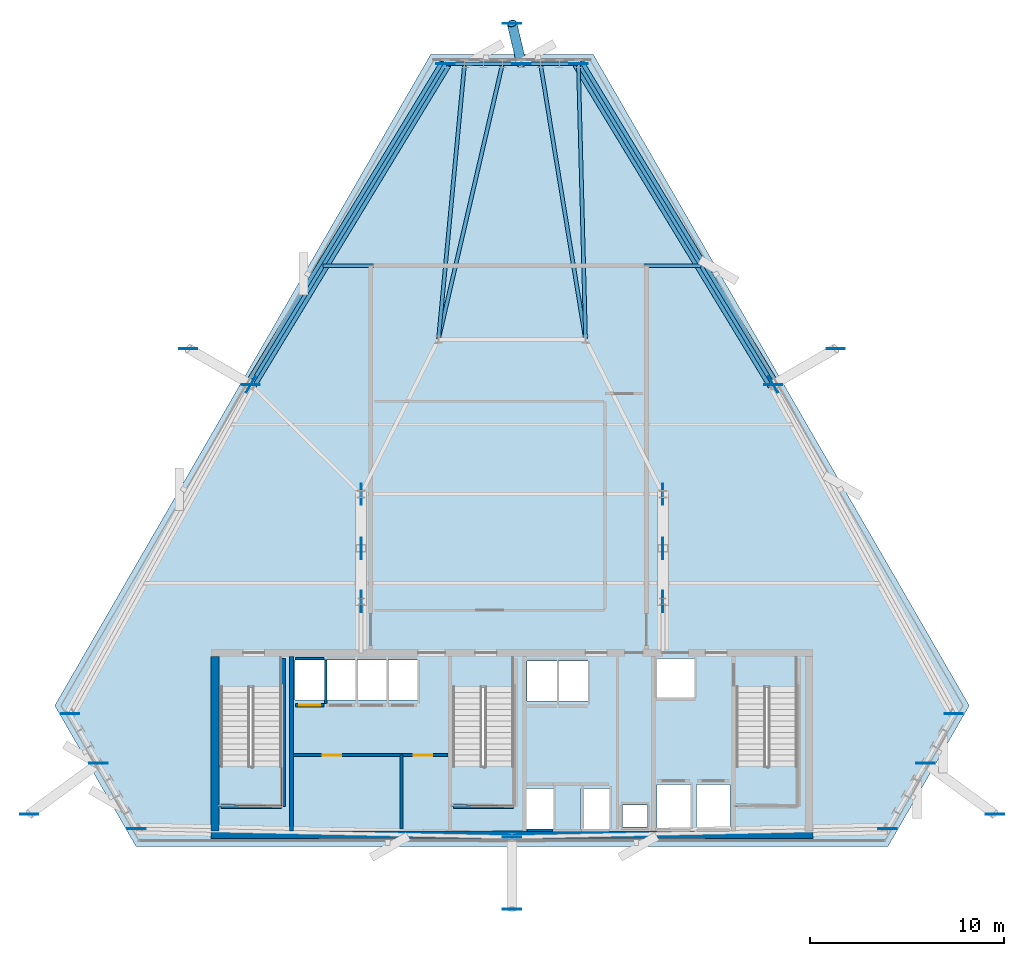
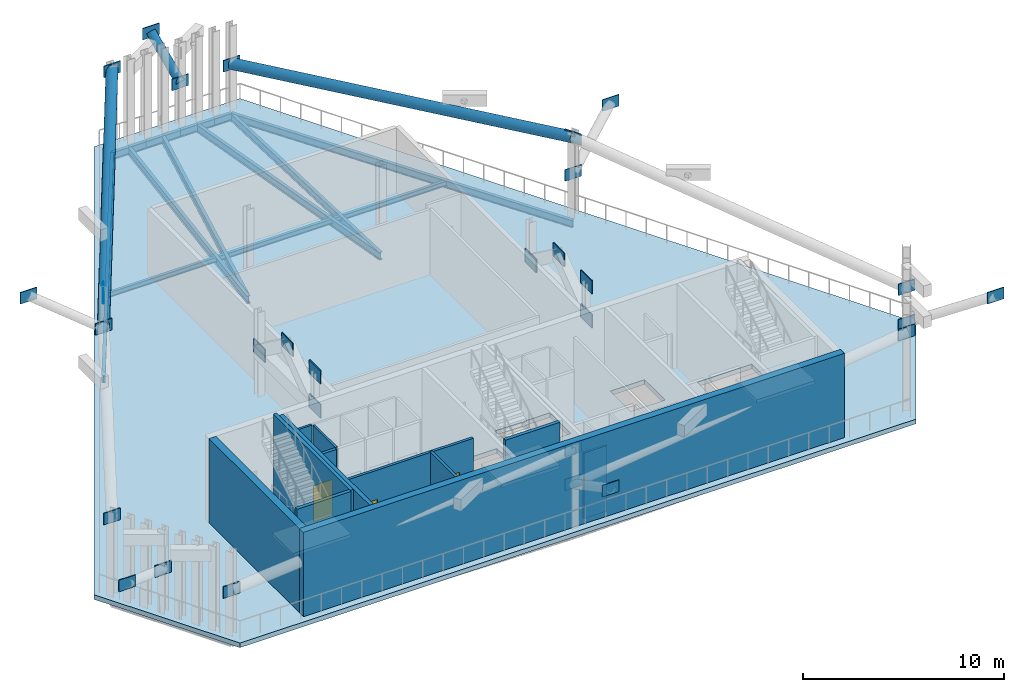
# One storey, part 3 of 11: 29 plates, 14 beams, 12 walls, 4 slabs, 3 doors, 3 members, 3 openings, 3 elements without a shape of their own.
"""IFC4 building model written with IfcOpenShell, lengths in metres."""

from ifc_helpers import new_model, si_unit, direction, frame, frame_2d, origin, origin_2d, place, context, subcontext, project, spatial, polyline, rectangle, hollow_circle, i_section, outline, extrude, material, layer, layer_set, material_profile, profile_set, type_object, element, fill, aggregate, save


model = new_model("IFC4")

# Units and contexts
model_context = context("Model", 3, precision=1e-05, world=origin(), true_north=direction((0.0, 1.0)))
body_context = subcontext(model_context, "Body", "Model", "MODEL_VIEW")
ifc_project = project(units=[si_unit("LENGTHUNIT", "METRE"), si_unit("AREAUNIT", "SQUARE_METRE"), si_unit("VOLUMEUNIT", "CUBIC_METRE"), si_unit("PLANEANGLEUNIT", "RADIAN"), si_unit("MASSUNIT", "GRAM", prefix="KILO")], contexts=[model_context])

# Site, building, storey
site_placement = place(None, origin())
site = spatial("IfcSite", under=ifc_project, at=site_placement, CompositionType="ELEMENT")
building_placement = place(site_placement, origin())
building = spatial("IfcBuilding", under=site, at=building_placement, Name="Ndaravel Arena Tower", CompositionType="ELEMENT")
storey_placement = place(building_placement, frame((0.0, 0.0, 203.0)))
storey = spatial("IfcBuildingStorey", under=building, at=storey_placement, Name="L49", CompositionType="ELEMENT", Elevation=203.0)

# Beams
ifc_material_1 = material(Name="Steel S355", Category="steel")
ifc_material_profile_1 = material_profile(ifc_material_1, i_section(OverallWidth=0.19140625, OverallDepth=0.4599609375, WebThickness=0.010009765625, FlangeThickness=0.01611328125, FilletRadius=0.01025390625, at=origin_2d()), Name="UB 457x191x82")
ifc_profile_set_1 = profile_set([ifc_material_profile_1], Name="Steel S355")
beam_type_1 = type_object("IfcBeamType", Name="BM-GIRD-UB457", PredefinedType="BEAM", material=ifc_profile_set_1)
beam_1_placement = place(storey_placement, frame((45.431396484375, 45.44482421875, -0.510009765625), z_axis=(0.025870988874, -0.999665289952, 0.0), x_axis=(0.999665289952, 0.025870988874, 0.0)))
element("IfcBeam", 1, at=beam_1_placement, inside=storey, type_object=beam_type_1, Name="L49 Radial Floor Girder FG-11", PredefinedType="BEAM", context=body_context, shape_type="SweptSolid", body=[
    extrude(i_section(OverallWidth=0.19140625, OverallDepth=0.4599609375, WebThickness=0.010009765625, FlangeThickness=0.01611328125, FilletRadius=0.01025390625, at=origin_2d()), origin(), (0.0, 0.0, 1.0), 14.249755859375),
])
beam_2_placement = place(storey_placement, frame((43.470703125, 45.44482421875, -0.510009765625), z_axis=(0.161378347099, -0.986892612743, 0.0), x_axis=(0.986892612743, 0.161378347099, 0.0)))
element("IfcBeam", 2, at=beam_2_placement, inside=storey, type_object=beam_type_1, Name="L49 Radial Floor Girder FG-13", PredefinedType="BEAM", context=body_context, shape_type="SweptSolid", body=[
    extrude(i_section(OverallWidth=0.19140625, OverallDepth=0.4599609375, WebThickness=0.010009765625, FlangeThickness=0.01611328125, FilletRadius=0.01025390625, at=origin_2d()), origin(), (0.0, 0.0, 1.0), 14.43408203125),
])
beam_3_placement = place(storey_placement, frame((41.509765625, 45.44482421875, -0.510009765625), z_axis=(-0.22632233436, -0.974052463151, 0.0), x_axis=(0.974052463151, -0.22632233436, 0.0)))
element("IfcBeam", 3, at=beam_3_placement, inside=storey, type_object=beam_type_1, Name="L49 Radial Floor Girder FG-15", PredefinedType="BEAM", context=body_context, shape_type="SweptSolid", body=[
    extrude(i_section(OverallWidth=0.19140625, OverallDepth=0.4599609375, WebThickness=0.010009765625, FlangeThickness=0.01611328125, FilletRadius=0.01025390625, at=origin_2d()), origin(), (0.0, 0.0, 1.0), 14.624267578125),
])
beam_4_placement = place(storey_placement, frame((39.548828125, 45.44482421875, -0.510009765625), z_axis=(-0.094270401693, -0.995546629428, 0.0), x_axis=(0.995546629428, -0.094270401693, 0.0)))
element("IfcBeam", 4, at=beam_4_placement, inside=storey, type_object=beam_type_1, Name="L49 Radial Floor Girder FG-17", PredefinedType="BEAM", context=body_context, shape_type="SweptSolid", body=[
    extrude(i_section(OverallWidth=0.19140625, OverallDepth=0.4599609375, WebThickness=0.010009765625, FlangeThickness=0.01611328125, FilletRadius=0.01025390625, at=origin_2d()), origin(), (0.0, 0.0, 1.0), 14.30859375),
])
ifc_material_2 = material(Name="Steel S355", Category="steel")
ifc_material_profile_2 = material_profile(ifc_material_2, i_section(OverallWidth=0.165771484375, OverallDepth=0.306640625, WebThickness=0.006591796875, FlangeThickness=0.01171875, FilletRadius=0.0087890625, at=origin_2d()), Name="UB 305x165x46")
ifc_profile_set_2 = profile_set([ifc_material_profile_2], Name="Steel S355")
beam_type_2 = type_object("IfcBeamType", Name="BM-JOIST-UB305", PredefinedType="JOIST", material=ifc_profile_set_2)
beam_5_placement = place(storey_placement, frame((32.2294921875, 35.0, -0.433349609375), z_axis=(1.0, 0.0, 0.0), x_axis=(0.0, 1.0, 0.0)))
element("IfcBeam", 5, at=beam_5_placement, inside=storey, type_object=beam_type_2, Name="L49 Composite Floor Joist FJ-03", PredefinedType="JOIST", context=body_context, shape_type="SweptSolid", body=[
    extrude(i_section(OverallWidth=0.165771484375, OverallDepth=0.306640625, WebThickness=0.006591796875, FlangeThickness=0.01171875, FilletRadius=0.0087890625, at=origin_2d()), origin(), (0.0, 0.0, 1.0), 19.541015625),
])
ifc_material_3 = material(Name="Steel S355", Category="steel")
ifc_material_profile_3 = material_profile(ifc_material_3, i_section(OverallWidth=0.18994140625, OverallDepth=0.449951171875, WebThickness=0.009521484375, FlangeThickness=0.0146484375, FilletRadius=0.02099609375, at=origin_2d()), Name="IPE 450")
ifc_profile_set_3 = profile_set([ifc_material_profile_3], Name="Steel S355")
beam_type_3 = type_object("IfcBeamType", Name="BM-SPAN-IPE450", PredefinedType="SPANDREL", material=ifc_profile_set_3)
beam_6_placement = place(storey_placement, frame((55.497802734375, 28.858642578125, -0.5048828125), z_axis=(-0.518835945965, 0.854873827635, 0.0), x_axis=(-0.854873827635, -0.518835945965, 0.0)))
element("IfcBeam", 6, at=beam_6_placement, inside=storey, type_object=beam_type_3, Name="L49 Perimeter Spandrel Beam SP-10", PredefinedType="SPANDREL", context=body_context, shape_type="SweptSolid", body=[
    extrude(i_section(OverallWidth=0.18994140625, OverallDepth=0.449951171875, WebThickness=0.009521484375, FlangeThickness=0.0146484375, FilletRadius=0.02099609375, at=origin_2d()), origin(), (0.0, 0.0, 1.0), 19.40185546875),
])
beam_7_placement = place(storey_placement, frame((45.431396484375, 45.44482421875, -0.5048828125), z_axis=(-1.0, 0.0, 0.0), x_axis=(0.0, -1.0, 0.0)))
element("IfcBeam", 7, at=beam_7_placement, inside=storey, type_object=beam_type_3, Name="L49 Perimeter Spandrel Beam SP-11", PredefinedType="SPANDREL", context=body_context, shape_type="SweptSolid", body=[
    extrude(i_section(OverallWidth=0.18994140625, OverallDepth=0.449951171875, WebThickness=0.009521484375, FlangeThickness=0.0146484375, FilletRadius=0.02099609375, at=origin_2d()), origin(), (0.0, 0.0, 1.0), 0.980224609375),
])
for number, where, z_axis, x_axis, name in (
    (8, (44.451171875, 45.44482421875, -0.5048828125), (-1.0, 0.0, 0.0), (0.0, -1.0, 0.0), "L49 Perimeter Spandrel Beam SP-12"),
    (9, (43.470703125, 45.44482421875, -0.5048828125), (-1.0, 0.0, 0.0), (0.0, -1.0, 0.0), "L49 Perimeter Spandrel Beam SP-13"),
    (10, (42.490234375, 45.44482421875, -0.5048828125), (-1.0, 0.0, 0.0), (0.0, -1.0, 0.0), "L49 Perimeter Spandrel Beam SP-14"),
    (11, (41.509765625, 45.44482421875, -0.5048828125), (-1.0, 0.0, 0.0), (0.0, -1.0, 0.0), "L49 Perimeter Spandrel Beam SP-15"),
    (12, (40.529296875, 45.44482421875, -0.5048828125), (-1.0, 0.0, 0.0), (0.0, -1.0, 0.0), "L49 Perimeter Spandrel Beam SP-16"),
):
    element("IfcBeam", number, at=place(storey_placement, frame(where, z_axis=z_axis, x_axis=x_axis)), inside=storey, type_object=beam_type_3, Name=name, PredefinedType="SPANDREL", context=body_context, shape_type="SweptSolid", body=[
        extrude(i_section(OverallWidth=0.18994140625, OverallDepth=0.449951171875, WebThickness=0.009521484375, FlangeThickness=0.0146484375, FilletRadius=0.02099609375, at=origin_2d()), origin(), (0.0, 0.0, 1.0), 0.98046875),
    ])
beam_8_placement = place(storey_placement, frame((39.548828125, 45.44482421875, -0.5048828125), z_axis=(-1.0, 0.0, 0.0), x_axis=(0.0, -1.0, 0.0)))
element("IfcBeam", 13, at=beam_8_placement, inside=storey, type_object=beam_type_3, Name="L49 Perimeter Spandrel Beam SP-17", PredefinedType="SPANDREL", context=body_context, shape_type="SweptSolid", body=[
    extrude(i_section(OverallWidth=0.18994140625, OverallDepth=0.449951171875, WebThickness=0.009521484375, FlangeThickness=0.0146484375, FilletRadius=0.02099609375, at=origin_2d()), origin(), (0.0, 0.0, 1.0), 0.980224609375),
])
beam_9_placement = place(storey_placement, frame((38.568603515625, 45.44482421875, -0.5048828125), z_axis=(-0.518835945965, -0.854873827635, 0.0), x_axis=(0.854873827635, -0.518835945965, 0.0)))
element("IfcBeam", 14, at=beam_9_placement, inside=storey, type_object=beam_type_3, Name="L49 Perimeter Spandrel Beam SP-18", PredefinedType="SPANDREL", context=body_context, shape_type="SweptSolid", body=[
    extrude(i_section(OverallWidth=0.18994140625, OverallDepth=0.449951171875, WebThickness=0.009521484375, FlangeThickness=0.0146484375, FilletRadius=0.02099609375, at=origin_2d()), origin(), (0.0, 0.0, 1.0), 19.40185546875),
])

# Members
ifc_material_4 = material(Name="Steel S460", Category="steel")
ifc_material_profile_4 = material_profile(ifc_material_4, hollow_circle(Radius=0.304931640625, WallThickness=0.030029296875, at=origin_2d()), Name="CHS 610x30")
ifc_profile_set_4 = profile_set([ifc_material_profile_4], Name="Steel S460")
member_type_1 = type_object("IfcMemberType", Name="MEM-BT-DIAG1", PredefinedType="BRACE", material=ifc_profile_set_4)
for number, where, z_axis, x_axis, name in (
    (15, (55.497802734375, 28.858642578125, 4.739990234375), (-0.515935818121, 0.85009535496, -0.105584653505), (-0.854873827635, -0.518835945965, 0.0), "Belt Truss BT-2 Diagonal 10"),
    (16, (38.568603515625, 45.44482421875, 4.739990234375), (-0.515935818121, -0.85009535496, -0.105584653505), (0.854873827635, -0.518835945965, 0.0), "Belt Truss BT-2 Diagonal 18"),
):
    element("IfcMember", number, at=place(storey_placement, frame(where, z_axis=z_axis, x_axis=x_axis)), inside=storey, type_object=member_type_1, Name=name, PredefinedType="BRACE", context=body_context, shape_type="SweptSolid", body=[
        extrude(hollow_circle(Radius=0.304931640625, WallThickness=0.030029296875, at=origin_2d()), origin(), (0.0, 0.0, 1.0), 19.510986328125),
    ])
ifc_material_5 = material(Name="Steel S460", Category="steel")
ifc_material_profile_5 = material_profile(ifc_material_5, hollow_circle(Radius=0.25390625, WallThickness=0.02490234375, at=origin_2d()), Name="CHS 508x25")
ifc_profile_set_5 = profile_set([ifc_material_profile_5], Name="Steel S460")
member_type_2 = type_object("IfcMemberType", Name="MEM-STAR-STRUT1", PredefinedType="STRUT", material=ifc_profile_set_5)
member_placement = place(storey_placement, frame((42.490234375, 45.44482421875, 2.580078125), z_axis=(-0.167881437026, 0.712325619254, 0.681474897011), x_axis=(-0.973333201445, -0.229395900059, 0.0)))
element("IfcMember", 17, at=member_placement, inside=storey, type_object=member_type_2, Name="L50 Star Soffit Raking Strut SS-5", PredefinedType="STRUT", context=body_context, shape_type="SweptSolid", body=[
    extrude(hollow_circle(Radius=0.25390625, WallThickness=0.02490234375, at=origin_2d()), origin(), (0.0, 0.0, 1.0), 2.920166015625),
])

# Plates
ifc_material_6 = material(Name="Steel S460", Category="steel")
ifc_layer_1 = layer(ifc_material_6, 0.044921875)
ifc_layer_set_1 = layer_set([ifc_layer_1], Name="Steel S460")
plate_type_1 = type_object("IfcPlateType", Name="PLT-GUSSET-BN1", PredefinedType="USERDEFINED", material=ifc_layer_set_1)
for number, where, z_axis, x_axis, name in (
    (18, (42.0, 5.47998046875, 4.39013671875), (0.0, 0.0, 1.0), (1.0, 0.0, 0.0), "Belt Truss Node Gusset BN-2.01"),
    (19, (55.497802734375, 28.858642578125, 4.39013671875), (0.0, 0.0, 1.0), (-0.5, 0.866025403784, 0.0), "Belt Truss Node Gusset BN-2.10"),
    (20, (28.502197265625, 28.858642578125, 4.39013671875), (0.0, 0.0, 1.0), (0.5, 0.866025403784, 0.0), "Belt Truss Node Gusset BN-2.19"),
    (21, (42.0, 5.47998046875, 2.330078125), (0.0, 0.0, 1.0), (1.0, 0.0, 0.0), "L49 Brace End Gusset Plate EGP-045"),
    (22, (61.397216796875, 5.904541015625, 4.39013671875), (0.0, 0.0, 1.0), (1.0, 0.0, 0.0), "L49 Brace End Gusset Plate EGP-046"),
    (23, (64.82861328125, 11.84814453125, 2.330078125), (0.0, 0.0, 1.0), (1.0, 0.0, 0.0), "L49 Brace End Gusset Plate EGP-047"),
    (24, (45.431396484375, 45.44482421875, 2.330078125), (0.0, 0.0, 1.0), (1.0, 0.0, 0.0), "L49 Brace End Gusset Plate EGP-048"),
    (25, (38.568603515625, 45.44482421875, 4.39013671875), (0.0, 0.0, 1.0), (1.0, 0.0, 0.0), "L49 Brace End Gusset Plate EGP-049"),
    (26, (28.502197265625, 28.858642578125, 2.330078125), (0.0, 0.0, 1.0), (1.0, 0.0, 0.0), "L49 Brace End Gusset Plate EGP-050"),
    (27, (19.17138671875, 11.84814453125, 4.39013671875), (0.0, 0.0, 1.0), (1.0, 0.0, 0.0), "L49 Brace End Gusset Plate EGP-051"),
    (28, (22.602783203125, 5.904541015625, 2.330078125), (0.0, 0.0, 1.0), (1.0, 0.0, 0.0), "L49 Brace End Gusset Plate EGP-052"),
    (29, (20.64208984375, 9.30078125, 2.22998046875), (0.0, 0.0, 1.0), (1.0, 0.0, 0.0), "L49 Brace End Gusset Plate EGP-053"),
    (30, (17.05078125, 6.661376953125, 4.22021484375), (0.0, 0.0, 1.0), (1.0, 0.0, 0.0), "L49 Brace End Gusset Plate EGP-054"),
    (31, (42.0, 1.75, 4.22021484375), (0.0, 0.0, 1.0), (1.0, 0.0, 0.0), "L49 Brace End Gusset Plate EGP-055"),
    (32, (63.35791015625, 9.30078125, 2.22998046875), (0.0, 0.0, 1.0), (1.0, 0.0, 0.0), "L49 Brace End Gusset Plate EGP-056"),
    (33, (66.94921875, 6.661376953125, 4.22021484375), (0.0, 0.0, 1.0), (1.0, 0.0, 0.0), "L49 Brace End Gusset Plate EGP-057"),
    (34, (55.497802734375, 28.858642578125, 2.22998046875), (0.0, 0.0, 1.0), (1.0, 0.0, 0.0), "L49 Brace End Gusset Plate EGP-058"),
    (35, (58.727783203125, 30.7236328125, 4.22021484375), (0.0, 0.0, 1.0), (1.0, 0.0, 0.0), "L49 Brace End Gusset Plate EGP-059"),
    (36, (42.490234375, 45.44482421875, 2.22998046875), (0.0, 0.0, 1.0), (1.0, 0.0, 0.0), "L49 Brace End Gusset Plate EGP-060"),
    (37, (42.0, 47.52490234375, 4.22021484375), (0.0, 0.0, 1.0), (1.0, 0.0, 0.0), "L49 Brace End Gusset Plate EGP-061"),
    (38, (25.272216796875, 30.7236328125, 4.22021484375), (0.0, 0.0, 1.0), (1.0, 0.0, 0.0), "L49 Brace End Gusset Plate EGP-062"),
):
    element("IfcPlate", number, at=place(storey_placement, frame(where, z_axis=z_axis, x_axis=x_axis)), inside=storey, type_object=plate_type_1, Name=name, ObjectType="GUSSET_PLATE", PredefinedType="USERDEFINED", context=body_context, shape_type="SweptSolid", body=[
        extrude(rectangle(XDim=0.949951171875, YDim=0.044921875, at=origin_2d()), origin(), (0.0, 0.0, 1.0), 0.699951171875),
    ])
ifc_material_7 = material(Name="Steel S460", Category="steel")
ifc_layer_2 = layer(ifc_material_7, 0.050048828125)
ifc_layer_set_2 = layer_set([ifc_layer_2], Name="Steel S460")
plate_type_2 = type_object("IfcPlateType", Name="PLT-GUSSET-ON1", PredefinedType="USERDEFINED", material=ifc_layer_set_2)
for number, where, z_axis, x_axis, name in (
    (39, (34.199951171875, 17.64990234375, 4.33984375), (0.0, 0.0, 1.0), (1.0, 0.0, 0.0), "Outrigger Embedded Node ON-2.1"),
    (40, (49.800048828125, 17.64990234375, 4.33984375), (0.0, 0.0, 1.0), (1.0, 0.0, 0.0), "Outrigger Embedded Node ON-2.2"),
    (41, (34.199951171875, 17.64990234375, 2.27978515625), (0.0, 0.0, 1.0), (1.0, 0.0, 0.0), "L49 Brace End Gusset Plate EGP-039"),
    (42, (34.199951171875, 20.39990234375, 4.33984375), (0.0, 0.0, 1.0), (1.0, 0.0, 0.0), "L49 Brace End Gusset Plate EGP-040"),
    (43, (34.199951171875, 23.199951171875, 2.27978515625), (0.0, 0.0, 1.0), (1.0, 0.0, 0.0), "L49 Brace End Gusset Plate EGP-041"),
    (44, (49.800048828125, 17.64990234375, 2.27978515625), (0.0, 0.0, 1.0), (1.0, 0.0, 0.0), "L49 Brace End Gusset Plate EGP-042"),
    (45, (49.800048828125, 20.39990234375, 4.33984375), (0.0, 0.0, 1.0), (1.0, 0.0, 0.0), "L49 Brace End Gusset Plate EGP-043"),
    (46, (49.800048828125, 23.199951171875, 2.27978515625), (0.0, 0.0, 1.0), (1.0, 0.0, 0.0), "L49 Brace End Gusset Plate EGP-044"),
):
    element("IfcPlate", number, at=place(storey_placement, frame(where, z_axis=z_axis, x_axis=x_axis)), inside=storey, type_object=plate_type_2, Name=name, ObjectType="GUSSET_PLATE", PredefinedType="USERDEFINED", context=body_context, shape_type="SweptSolid", body=[
        extrude(rectangle(XDim=0.050048828125, YDim=1.10009765625, at=origin_2d()), origin(), (0.0, 0.0, 1.0), 0.800048828125),
    ])

# Stair, slab
ifc_material_8 = material(Name="Concrete C40/50", Category="concrete")
stair_type = type_object("IfcStairType", Name="STAIR-CORE-HT", PredefinedType="HALF_TURN_STAIR", material=ifc_material_8)
stair_1_placement = place(storey_placement, origin())
stair_1 = element("IfcStair", 47, at=stair_1_placement, inside=storey, type_object=stair_type, Name="L49 ST-1", PredefinedType="HALF_TURN_STAIR")
ifc_material_9 = material(Name="Concrete C40/50", Category="concrete")
ifc_layer_3 = layer(ifc_material_9, 0.199951171875)
ifc_layer_set_3 = layer_set([ifc_layer_3], Name="Concrete C40/50")
slab_type_1 = type_object("IfcSlabType", Name="SLAB-STAIR-LANDING", PredefinedType="LANDING", material=ifc_layer_set_3)
slab_1_placement = place(storey_placement, frame((0.0, 0.0, 2.5)))
slab_1 = element("IfcSlab", 48, at=slab_1_placement, type_object=slab_type_1, Name="ST-1 landing 1", PredefinedType="LANDING", context=body_context, shape_type="SweptSolid", body=[
    extrude(outline(polyline([(26.81005859375, 9.155029296875), (26.81005859375, 7.070068359375), (30.169921875, 7.070068359375), (30.169921875, 9.155029296875), (26.81005859375, 9.155029296875)])), origin(), (0.0, 0.0, 1.0), 0.199951171875),
])
aggregate(stair_1, [slab_1])

stair_2_placement = place(storey_placement, origin())
stair_2 = element("IfcStair", 49, at=stair_2_placement, inside=storey, type_object=stair_type, Name="L49 ST-2", PredefinedType="HALF_TURN_STAIR")
slab_2_placement = place(storey_placement, frame((0.0, 0.0, 2.5)))
slab_2 = element("IfcSlab", 50, at=slab_2_placement, type_object=slab_type_1, Name="ST-2 landing 1", PredefinedType="LANDING", context=body_context, shape_type="SweptSolid", body=[
    extrude(outline(polyline([(38.81005859375, 9.155029296875), (38.81005859375, 7.070068359375), (42.169921875, 7.070068359375), (42.169921875, 9.155029296875), (38.81005859375, 9.155029296875)])), origin(), (0.0, 0.0, 1.0), 0.199951171875),
])
aggregate(stair_2, [slab_2])

stair_3_placement = place(storey_placement, origin())
stair_3 = element("IfcStair", 51, at=stair_3_placement, inside=storey, type_object=stair_type, Name="L49 ST-3", PredefinedType="HALF_TURN_STAIR")
slab_3_placement = place(storey_placement, frame((0.0, 0.0, 2.5)))
slab_3 = element("IfcSlab", 52, at=slab_3_placement, type_object=slab_type_1, Name="ST-3 landing 1", PredefinedType="LANDING", context=body_context, shape_type="SweptSolid", body=[
    extrude(outline(polyline([(53.4599609375, 9.155029296875), (53.4599609375, 7.070068359375), (56.820068359375, 7.070068359375), (56.820068359375, 9.155029296875), (53.4599609375, 9.155029296875)])), origin(), (0.0, 0.0, 1.0), 0.199951171875),
])
aggregate(stair_3, [slab_3])

# Slab
ifc_material_10 = material(Name="Concrete C40/50", Category="concrete")
ifc_layer_4 = layer(ifc_material_10, 0.280029296875)
ifc_layer_set_4 = layer_set([ifc_layer_4], Name="Concrete C40/50")
slab_type_2 = type_object("IfcSlabType", Name="SLAB-TRANS-280", PredefinedType="FLOOR", material=ifc_layer_set_4)
slab_4_placement = place(storey_placement, frame((0.0, 0.0, -0.280029296875)))
element("IfcSlab", 53, at=slab_4_placement, inside=storey, type_object=slab_type_2, Name="L49 Structural Floor Slab", PredefinedType="FLOOR", context=body_context, shape_type="SweptSolid", body=[
    extrude(outline(polyline([(18.3720703125, 12.272705078125), (22.57080078125, 5.0), (61.42919921875, 5.0), (65.6279296875, 12.272705078125), (46.19873046875, 45.9248046875), (37.80126953125, 45.9248046875), (18.3720703125, 12.272705078125)]), holes=[polyline([(26.949951171875, 13.215087890625), (26.949951171875, 7.14990234375), (30.090087890625, 7.14990234375), (30.090087890625, 13.215087890625), (26.949951171875, 13.215087890625)]), polyline([(38.949951171875, 13.215087890625), (38.949951171875, 7.14990234375), (42.090087890625, 7.14990234375), (42.090087890625, 13.215087890625), (38.949951171875, 13.215087890625)]), polyline([(53.60009765625, 13.215087890625), (53.60009765625, 7.14990234375), (56.739990234375, 7.14990234375), (56.739990234375, 13.215087890625), (53.60009765625, 13.215087890625)]), polyline([(30.784912109375, 12.56005859375), (32.31494140625, 12.56005859375), (32.31494140625, 14.639892578125), (30.784912109375, 14.639892578125), (30.784912109375, 12.56005859375)]), polyline([(32.385009765625, 12.56005859375), (33.9150390625, 12.56005859375), (33.9150390625, 14.639892578125), (32.385009765625, 14.639892578125), (32.385009765625, 12.56005859375)]), polyline([(33.985107421875, 12.56005859375), (35.514892578125, 12.56005859375), (35.514892578125, 14.639892578125), (33.985107421875, 14.639892578125), (33.985107421875, 12.56005859375)]), polyline([(35.5849609375, 12.56005859375), (37.114990234375, 12.56005859375), (37.114990234375, 14.639892578125), (35.5849609375, 14.639892578125), (35.5849609375, 12.56005859375)]), polyline([(42.659912109375, 5.909912109375), (44.139892578125, 5.909912109375), (44.139892578125, 7.989990234375), (42.659912109375, 7.989990234375), (42.659912109375, 5.909912109375)]), polyline([(45.56005859375, 5.909912109375), (47.0400390625, 5.909912109375), (47.0400390625, 7.989990234375), (45.56005859375, 7.989990234375), (45.56005859375, 5.909912109375)]), polyline([(42.784912109375, 12.510009765625), (44.31494140625, 12.510009765625), (44.31494140625, 14.590087890625), (42.784912109375, 14.590087890625), (42.784912109375, 12.510009765625)]), polyline([(44.385009765625, 12.510009765625), (45.9150390625, 12.510009765625), (45.9150390625, 14.590087890625), (44.385009765625, 14.590087890625), (44.385009765625, 12.510009765625)]), polyline([(49.485107421875, 5.909912109375), (51.215087890625, 5.909912109375), (51.215087890625, 8.18994140625), (49.485107421875, 8.18994140625), (49.485107421875, 5.909912109375)]), polyline([(51.534912109375, 5.909912109375), (53.264892578125, 5.909912109375), (53.264892578125, 8.18994140625), (51.534912109375, 8.18994140625), (51.534912109375, 5.909912109375)]), polyline([(49.4599609375, 12.68505859375), (51.43994140625, 12.68505859375), (51.43994140625, 14.715087890625), (49.4599609375, 14.715087890625), (49.4599609375, 12.68505859375)]), polyline([(47.699951171875, 6.0), (49.0, 6.0), (49.0, 7.139892578125), (47.699951171875, 7.139892578125), (47.699951171875, 6.0)])]), origin(), (0.0, 0.0, 1.0), 0.280029296875),
])

# Wall, openings, doors
ifc_material_11 = material(Name="Gypsum", Category="gypsum")
ifc_layer_5 = layer(ifc_material_11, 0.14990234375)
ifc_layer_set_5 = layer_set([ifc_layer_5], Name="Gypsum")
wall_type_1 = type_object("IfcWallType", Name="WALL-COMP-150", PredefinedType="PARTITIONING", material=ifc_layer_set_5)
wall_1_placement = place(storey_placement, frame((30.719970703125, 9.719970703125, 0.0), z_axis=(0.0, 0.0, 1.0), x_axis=(1.0, 0.0, 0.0)))
wall_1 = element("IfcWall", 54, at=wall_1_placement, inside=storey, type_object=wall_type_1, Name="L49 Reclaimed Shaft Partition", PredefinedType="PARTITIONING", context=body_context, shape_type="SweptSolid", body=[
    extrude(rectangle(XDim=7.9599609375, YDim=0.14990234375, at=frame_2d((3.97998046875, 0.0))), origin(), (0.0, 0.0, 1.0), 3.989990234375),
])
opening_1_placement = place(wall_1_placement, frame((1.5, 0.0, 0.0)))
opening_1 = element("IfcOpeningElement", 55, at=opening_1_placement, cuts=wall_1, Name="Opening FD-03", PredefinedType="OPENING", context=body_context, shape_type="SweptSolid", body=[
    extrude(rectangle(XDim=0.949951171875, YDim=2.199951171875, at=frame_2d((0.47509765625, 1.10009765625))), frame((0.0, 0.074951171875, 0.0), z_axis=(0.0, -1.0, 0.0), x_axis=(1.0, 0.0, 0.0)), (0.0, 0.0, 1.0), 0.14990234375),
])
opening_2_placement = place(wall_1_placement, frame((6.2099609375, 0.0, 0.0)))
opening_2 = element("IfcOpeningElement", 56, at=opening_2_placement, cuts=wall_1, Name="Opening FD-03", PredefinedType="OPENING", context=body_context, shape_type="SweptSolid", body=[
    extrude(rectangle(XDim=0.949951171875, YDim=2.199951171875, at=frame_2d((0.47509765625, 1.10009765625))), frame((0.0, 0.074951171875, 0.0), z_axis=(0.0, -1.0, 0.0), x_axis=(1.0, 0.0, 0.0)), (0.0, 0.0, 1.0), 0.14990234375),
])
ifc_material_12 = material(Name="Steel S355", Category="steel")
door_type_1 = type_object("IfcDoorType", Name="DT-11-CORE-950", OperationType="SINGLE_SWING_LEFT", PredefinedType="DOOR", material=ifc_material_12)
door_1_placement = place(opening_1_placement, origin())
door_1 = element("IfcDoor", 57, at=door_1_placement, inside=storey, type_object=door_type_1, Name="L49 ICT Server Room Door", OperationType="SINGLE_SWING_LEFT", OverallHeight=2.199951171875, OverallWidth=0.949951171875, PredefinedType="DOOR", context=body_context, shape_type="SweptSolid", body=[
    extrude(rectangle(XDim=0.949951171875, YDim=2.199951171875, at=frame_2d((0.47509765625, 1.10009765625))), frame((0.0, 0.02490234375, 0.0), z_axis=(0.0, -1.0, 0.0), x_axis=(1.0, 0.0, 0.0)), (0.0, 0.0, 1.0), 0.050048828125),
])
fill(opening_1, door_1)
door_2_placement = place(opening_2_placement, origin())
door_2 = element("IfcDoor", 58, at=door_2_placement, inside=storey, type_object=door_type_1, Name="L49 Core Archive Room Door", OperationType="SINGLE_SWING_RIGHT", OverallHeight=2.199951171875, OverallWidth=0.949951171875, PredefinedType="DOOR", context=body_context, shape_type="SweptSolid", body=[
    extrude(rectangle(XDim=0.949951171875, YDim=2.199951171875, at=frame_2d((0.47509765625, 1.10009765625))), frame((0.0, 0.02490234375, 0.0), z_axis=(0.0, -1.0, 0.0), x_axis=(1.0, 0.0, 0.0)), (0.0, 0.0, 1.0), 0.050048828125),
])
fill(opening_2, door_2)

# Walls
wall_2_placement = place(storey_placement, frame((36.280029296875, 5.89990234375, 0.0), z_axis=(0.0, 0.0, 1.0), x_axis=(0.0, 1.0, 0.0)))
element("IfcWall", 59, at=wall_2_placement, inside=storey, type_object=wall_type_1, Name="L49 Reclaimed Bay Divider", PredefinedType="PARTITIONING", context=body_context, shape_type="SweptSolid", body=[
    extrude(rectangle(XDim=3.820068359375, YDim=0.14990234375, at=frame_2d((1.91015625, 0.0))), origin(), (0.0, 0.0, 1.0), 3.989990234375),
])
ifc_material_13 = material(Name="Concrete C50/60", Category="concrete")
ifc_layer_6 = layer(ifc_material_13, 0.219970703125)
ifc_layer_set_6 = layer_set([ifc_layer_6], Name="Concrete C50/60")
wall_type_2 = type_object("IfcWallType", Name="WALL-CORE-220", PredefinedType="SOLIDWALL", material=ifc_layer_set_6)
wall_3_placement = place(storey_placement, frame((30.60009765625, 5.800048828125, 0.0), z_axis=(0.0, 0.0, 1.0), x_axis=(0.0, 1.0, 0.0)))
element("IfcWall", 60, at=wall_3_placement, inside=storey, type_object=wall_type_2, Name="L49 Core Web Shear Wall 1", PredefinedType="SOLIDWALL", context=body_context, shape_type="SweptSolid", body=[
    extrude(rectangle(XDim=9.0, YDim=0.219970703125, at=frame_2d((4.5, 0.0))), origin(), (0.0, 0.0, 1.0), 5.1201171875),
])
ifc_material_14 = material(Name="Concrete C50/60", Category="concrete")
ifc_layer_7 = layer(ifc_material_14, 0.39990234375)
ifc_layer_set_7 = layer_set([ifc_layer_7], Name="Concrete C50/60")
wall_type_3 = type_object("IfcWallType", Name="WALL-CORE-400", PredefinedType="SOLIDWALL", material=ifc_layer_set_7)
wall_4_placement = place(storey_placement, frame((26.449951171875, 5.60009765625, 0.0), z_axis=(0.0, 0.0, 1.0), x_axis=(1.0, 0.0, 0.0)))
element("IfcWall", 61, at=wall_4_placement, inside=storey, type_object=wall_type_3, Name="L49 Core South Shear Wall", PredefinedType="SOLIDWALL", context=body_context, shape_type="SweptSolid", body=[
    extrude(rectangle(XDim=31.10009765625, YDim=0.39990234375, at=frame_2d((15.550048828125, 0.0))), origin(), (0.0, 0.0, 1.0), 5.1201171875),
])
wall_5_placement = place(storey_placement, frame((26.64990234375, 5.800048828125, 0.0), z_axis=(0.0, 0.0, 1.0), x_axis=(0.0, 1.0, 0.0)))
element("IfcWall", 62, at=wall_5_placement, inside=storey, type_object=wall_type_3, Name="L49 Core West Shear Wall", PredefinedType="SOLIDWALL", context=body_context, shape_type="SweptSolid", body=[
    extrude(rectangle(XDim=9.0, YDim=0.39990234375, at=frame_2d((4.5, 0.0))), origin(), (0.0, 0.0, 1.0), 5.1201171875),
])
ifc_material_15 = material(Name="Concrete C40/50", Category="concrete")
ifc_layer_8 = layer(ifc_material_15, 0.1201171875)
ifc_layer_set_8 = layer_set([ifc_layer_8], Name="Concrete C40/50")
wall_type_4 = type_object("IfcWallType", Name="WALL-SHAFT-120", PredefinedType="SOLIDWALL", material=ifc_layer_set_8)
wall_6_placement = place(storey_placement, frame((30.804931640625, 14.7099609375, 0.0), z_axis=(0.0, 0.0, 1.0), x_axis=(1.0, 0.0, 0.0)))
element("IfcWall", 63, at=wall_6_placement, inside=storey, type_object=wall_type_4, Name="L49 PL-M1 Shaft Rear Wall", PredefinedType="SOLIDWALL", context=body_context, shape_type="SweptSolid", body=[
    extrude(rectangle(XDim=1.489990234375, YDim=0.1201171875, at=frame_2d((0.7451171875, 0.0))), origin(), (0.0, 0.0, 1.0), 3.989990234375),
])
wall_7_placement = place(storey_placement, frame((32.375, 12.389892578125, 0.0), z_axis=(0.0, 0.0, 1.0), x_axis=(0.0, 1.0, 0.0)))
element("IfcWall", 64, at=wall_7_placement, inside=storey, type_object=wall_type_4, Name="L49 PL-M1 Shaft Side R Wall", PredefinedType="SOLIDWALL", context=body_context, shape_type="SweptSolid", body=[
    extrude(rectangle(XDim=2.230224609375, YDim=0.1201171875, at=frame_2d((1.115234375, 0.0))), origin(), (0.0, 0.0, 1.0), 3.989990234375),
])
wall_8_placement = place(storey_placement, frame((42.780029296875, 5.840087890625, 0.0), z_axis=(0.0, 0.0, 1.0), x_axis=(1.0, 0.0, 0.0)))
element("IfcWall", 65, at=wall_8_placement, inside=storey, type_object=wall_type_4, Name="L49 PL-H1 Shaft Rear Wall", PredefinedType="SOLIDWALL", context=body_context, shape_type="SweptSolid", body=[
    extrude(rectangle(XDim=1.340087890625, YDim=0.1201171875, at=frame_2d((0.669921875, 0.0))), origin(), (0.0, 0.0, 1.0), 3.989990234375),
])
ifc_material_16 = material(Name="Concrete C40/50", Category="concrete")
ifc_layer_9 = layer(ifc_material_16, 0.199951171875)
ifc_layer_set_9 = layer_set([ifc_layer_9], Name="Concrete C40/50")
wall_type_5 = type_object("IfcWallType", Name="WALL-SHAFT-200", PredefinedType="SOLIDWALL", material=ifc_layer_set_9)
wall_9_placement = place(storey_placement, frame((30.18994140625, 14.699951171875, 0.0), z_axis=(0.0, 0.0, 1.0), x_axis=(0.0, -1.0, 0.0)))
element("IfcWall", 66, at=wall_9_placement, inside=storey, type_object=wall_type_5, Name="L49 ST-1 Structural Shaft Wall Right", PredefinedType="SOLIDWALL", context=body_context, shape_type="SweptSolid", body=[
    extrude(rectangle(XDim=7.64990234375, YDim=0.199951171875, at=frame_2d((3.824951171875, 0.0))), origin(), (0.0, 0.0, 1.0), 5.39990234375),
])
for number, where, z_axis, x_axis, name in (
    (67, (26.969970703125, 7.050048828125, 0.0), (0.0, 0.0, 1.0), (1.0, 0.0, 0.0), "L49 ST-1 Structural Shaft Wall Far"),
    (68, (38.969970703125, 7.050048828125, 0.0), (0.0, 0.0, 1.0), (1.0, 0.0, 0.0), "L49 ST-2 Structural Shaft Wall Far"),
):
    element("IfcWall", number, at=place(storey_placement, frame(where, z_axis=z_axis, x_axis=x_axis)), inside=storey, type_object=wall_type_5, Name=name, PredefinedType="SOLIDWALL", context=body_context, shape_type="SweptSolid", body=[
        extrude(rectangle(XDim=3.114990234375, YDim=0.199951171875, at=frame_2d((1.5576171875, 0.0))), origin(), (0.0, 0.0, 1.0), 5.39990234375),
    ])

# Wall, opening, door
wall_10_placement = place(storey_placement, frame((30.804931640625, 12.300048828125, 0.0), z_axis=(0.0, 0.0, 1.0), x_axis=(1.0, 0.0, 0.0)))
wall_10 = element("IfcWall", 69, at=wall_10_placement, inside=storey, type_object=wall_type_5, Name="L49 PL-M1 Shaft Landing Wall", PredefinedType="SOLIDWALL", context=body_context, shape_type="SweptSolid", body=[
    extrude(rectangle(XDim=1.489990234375, YDim=0.179931640625, at=frame_2d((0.7451171875, 0.0))), origin(), (0.0, 0.0, 1.0), 3.989990234375),
])
opening_3_placement = place(wall_10_placement, frame((0.195068359375, 0.0, 0.0)))
opening_3 = element("IfcOpeningElement", 70, at=opening_3_placement, cuts=wall_10, Name="Opening LD-01", PredefinedType="OPENING", context=body_context, shape_type="SweptSolid", body=[
    extrude(rectangle(XDim=1.10009765625, YDim=2.199951171875, at=frame_2d((0.550048828125, 1.10009765625))), frame((0.0, 0.08984375, 0.0), z_axis=(0.0, -1.0, 0.0), x_axis=(1.0, 0.0, 0.0)), (0.0, 0.0, 1.0), 0.179931640625),
])
ifc_material_17 = material(Name="Steel S355", Category="steel")
door_type_2 = type_object("IfcDoorType", Name="DT-06-LIFT-1100", OperationType="SLIDING_TO_LEFT", PredefinedType="DOOR", material=ifc_material_17)
door_3_placement = place(opening_3_placement, origin())
door_3 = element("IfcDoor", 71, at=door_3_placement, inside=storey, type_object=door_type_2, Name="L49 Lift PL-M1 Sliding Landing Door", OperationType="SLIDING_TO_LEFT", OverallHeight=2.199951171875, OverallWidth=1.10009765625, PredefinedType="DOOR", context=body_context, shape_type="SweptSolid", body=[
    extrude(rectangle(XDim=1.10009765625, YDim=2.199951171875, at=frame_2d((0.550048828125, 1.10009765625))), frame((0.0, 0.02490234375, 0.0), z_axis=(0.0, -1.0, 0.0), x_axis=(1.0, 0.0, 0.0)), (0.0, 0.0, 1.0), 0.050048828125),
])
fill(opening_3, door_3)

save(model, "model.ifc")
